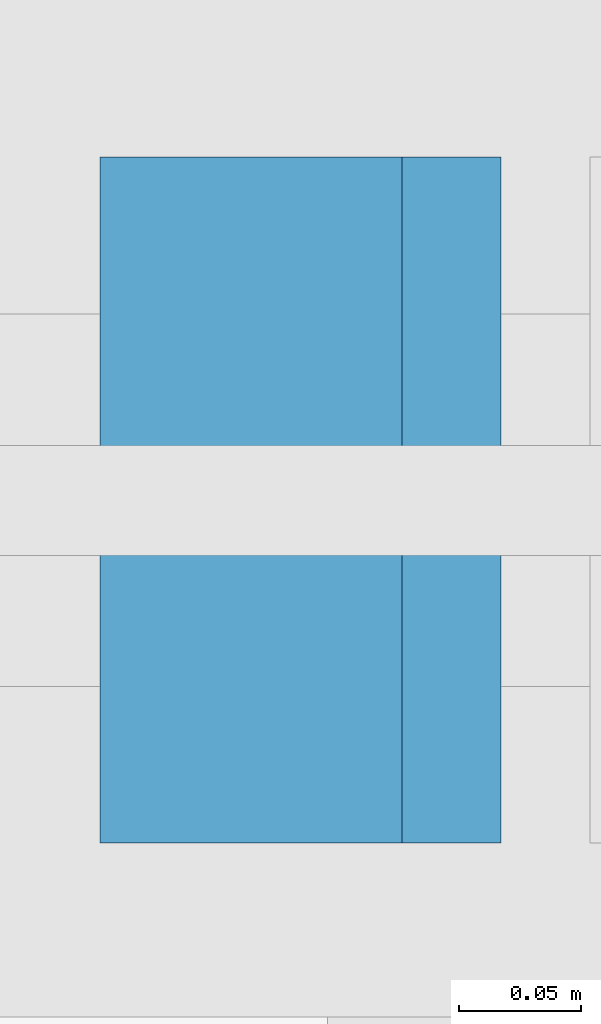
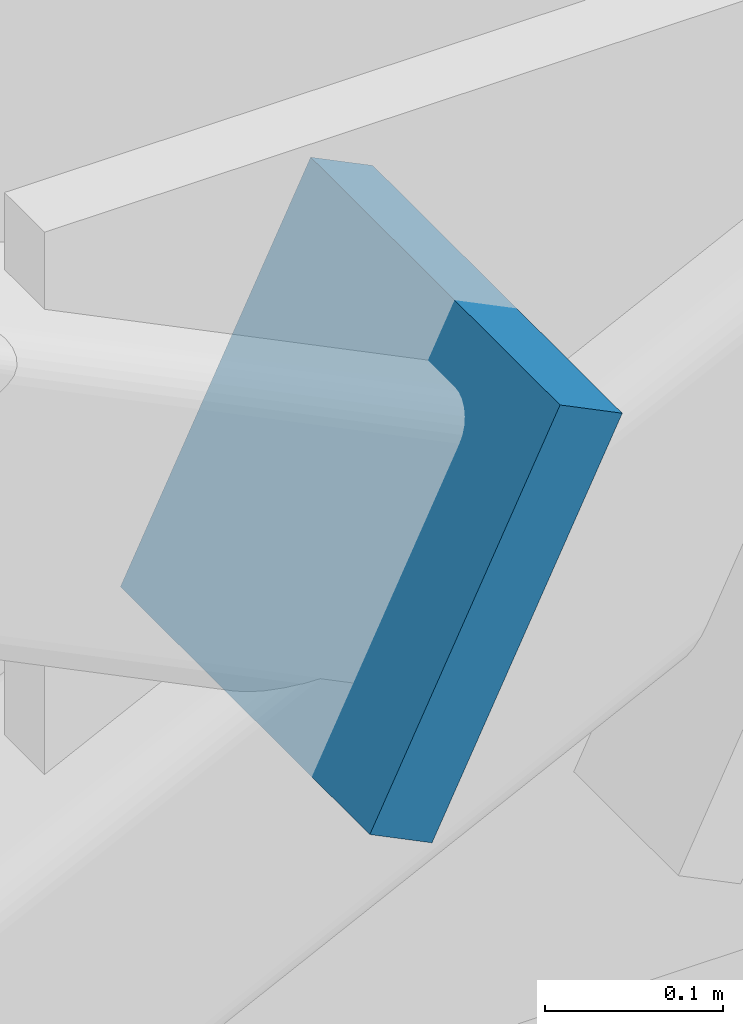
# One storey, part 8 of 12: 1 discrete accessory.
"""IFC4 building model written with IfcOpenShell, lengths in metres."""

from ifc_helpers import new_model, si_unit, direction, frame, origin, place, context, subcontext, project, spatial, polyline, outline, extrude, material, type_object, element, save


model = new_model("IFC4")

# Units and contexts
model_context = context("Model", 3, precision=1e-05, world=origin(), true_north=direction((0.0, 1.0)))
body_context = subcontext(model_context, "Body", "Model", "MODEL_VIEW")
ifc_project = project(units=[si_unit("LENGTHUNIT", "METRE"), si_unit("AREAUNIT", "SQUARE_METRE"), si_unit("VOLUMEUNIT", "CUBIC_METRE"), si_unit("PLANEANGLEUNIT", "RADIAN"), si_unit("MASSUNIT", "GRAM", prefix="KILO")], contexts=[model_context])

# Site, building, storey
site_placement = place(None, origin())
site = spatial("IfcSite", under=ifc_project, at=site_placement, CompositionType="ELEMENT")
building_placement = place(site_placement, origin())
building = spatial("IfcBuilding", under=site, at=building_placement, Name="Caelmar Bay Residences", CompositionType="ELEMENT")
storey_placement = place(building_placement, frame((0.0, 0.0, 274.199951171875)))
storey = spatial("IfcBuildingStorey", under=building, at=storey_placement, Name="L77", CompositionType="ELEMENT", Elevation=274.199951171875)

# Discrete accessory
ifc_material = material(Name="Steel ASTM A572 Grade 50", Category="steel")
discrete_accessory_type = type_object("IfcDiscreteAccessoryType", Name="ACC-PRTCAP-45", PredefinedType="USERDEFINED", material=ifc_material)
discrete_accessory_placement = place(storey_placement, frame((55.1181640625, 29.5400390625, 2.018310546875), z_axis=(-0.897717802452, 0.0, 0.440570933176), x_axis=(0.0, -1.0, 0.0)))
element("IfcDiscreteAccessory", 1, at=discrete_accessory_placement, inside=storey, type_object=discrete_accessory_type, Name="L77 Hollow-Brace Sealed End-Cap Bracket PLT-CRNCAP-L77-04B", ObjectType="BRACKET", PredefinedType="USERDEFINED", context=body_context, shape_type="SweptSolid", body=[
    extrude(outline(polyline([(0.0, 0.0), (0.280029296875, 0.0), (0.280029296875, 0.2798437353461095), (0.0, 0.2798437353461095), (0.0, 0.0)])), origin(), (0.0, 0.0, -1.0), 0.044921875),
])

save(model, "model.ifc")
